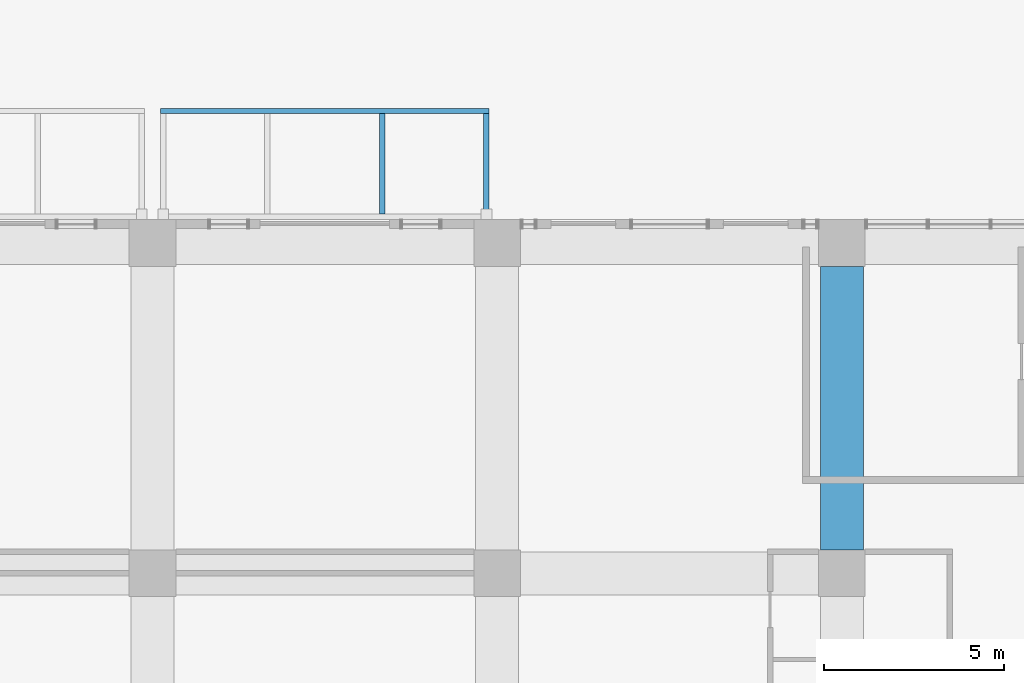
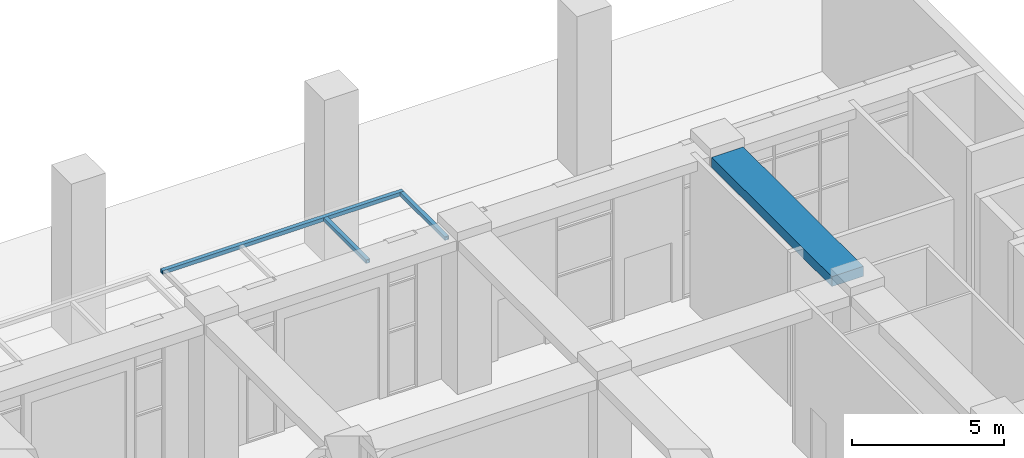
# One storey, part 8 of 45: 3 members, 1 beam.
"""IFC4 building model written with IfcOpenShell, lengths in metres."""

from ifc_helpers import new_model, si_unit, direction, frame, origin, origin_2d, place, context, subcontext, project, spatial, rectangle, hollow_rectangle, extrude, material, material_profile, profile_set, type_object, element, save


model = new_model("IFC4")

# Units and contexts
model_context = context("Model", 3, precision=1e-05, world=origin(), true_north=direction((0.0, 1.0)))
body_context = subcontext(model_context, "Body", "Model", "MODEL_VIEW")
ifc_project = project(units=[si_unit("LENGTHUNIT", "METRE"), si_unit("AREAUNIT", "SQUARE_METRE"), si_unit("VOLUMEUNIT", "CUBIC_METRE"), si_unit("PLANEANGLEUNIT", "RADIAN"), si_unit("MASSUNIT", "GRAM", prefix="KILO")], contexts=[model_context])

# Site, building, storey
site_placement = place(None, origin())
site = spatial("IfcSite", under=ifc_project, at=site_placement, CompositionType="ELEMENT")
building_placement = place(site_placement, origin())
building = spatial("IfcBuilding", under=site, at=building_placement, Name="Nzadi Deep Aquarium and Research Tower", CompositionType="ELEMENT")
storey_placement = place(building_placement, origin())
storey = spatial("IfcBuildingStorey", under=building, at=storey_placement, Name="G", CompositionType="ELEMENT", Elevation=0.0)

# Beam
ifc_material_1 = material(Name="Concrete C35/45", Category="concrete")
ifc_material_profile_1 = material_profile(ifc_material_1, rectangle(XDim=1.199951171875, YDim=0.39990234375, at=origin_2d()))
ifc_profile_set_1 = profile_set([ifc_material_profile_1], Name="Concrete C35/45")
beam_type = type_object("IfcBeamType", Name="RC 1200x400", PredefinedType="BEAM", material=ifc_profile_set_1)
beam_placement = place(storey_placement, frame((48.0, 123.050048828125, 5.949951171875), z_axis=(0.0, 1.0, 0.0), x_axis=(-1.0, 0.0, 0.0)))
element("IfcBeam", 1, at=beam_placement, inside=storey, type_object=beam_type, Name="B-Z3-G-CF-4-13", PredefinedType="BEAM", context=body_context, shape_type="SweptSolid", body=[
    extrude(rectangle(XDim=1.199951171875, YDim=0.39990234375, at=origin_2d()), origin(), (0.0, 0.0, 1.0), 7.89990234375),
])

# Members
ifc_material_2 = material(Name="Structural steel S355", Category="steel")
ifc_material_profile_2 = material_profile(ifc_material_2, hollow_rectangle(XDim=0.14990234375, YDim=0.14990234375, WallThickness=0.008056640625, at=origin_2d()))
ifc_profile_set_2 = profile_set([ifc_material_profile_2], Name="Structural steel S355")
member_type = type_object("IfcMemberType", Name="RHS 150x150x8", PredefinedType="RAFTER", material=ifc_profile_set_2)
member_1_placement = place(storey_placement, frame((35.199951171875, 132.39990234375, 5.375), z_axis=(0.0, 1.0, 0.0), x_axis=(-1.0, 0.0, 0.0)))
element("IfcMember", 2, at=member_1_placement, inside=storey, type_object=member_type, Name="Canopy rafter", PredefinedType="RAFTER", context=body_context, shape_type="SweptSolid", body=[
    extrude(hollow_rectangle(XDim=0.14990234375, YDim=0.14990234375, WallThickness=0.008056640625, at=origin_2d()), origin(), (0.0, 0.0, 1.0), 2.800048828125),
])
member_2_placement = place(storey_placement, frame((38.10009765625, 132.25, 5.375), z_axis=(0.0, 1.0, 0.0), x_axis=(-1.0, 0.0, 0.0)))
element("IfcMember", 3, at=member_2_placement, inside=storey, type_object=member_type, Name="Canopy rafter", PredefinedType="RAFTER", context=body_context, shape_type="SweptSolid", body=[
    extrude(hollow_rectangle(XDim=0.14990234375, YDim=0.14990234375, WallThickness=0.008056640625, at=origin_2d()), origin(), (0.0, 0.0, 1.0), 2.949951171875),
])
member_3_placement = place(storey_placement, frame((29.02490234375, 135.27490234375, 5.375), z_axis=(1.0, 0.0, 0.0), x_axis=(0.0, 1.0, 0.0)))
element("IfcMember", 4, at=member_3_placement, inside=storey, type_object=member_type, Name="Canopy tip beam", PredefinedType="RAFTER", context=body_context, shape_type="SweptSolid", body=[
    extrude(hollow_rectangle(XDim=0.14990234375, YDim=0.14990234375, WallThickness=0.008056640625, at=origin_2d()), origin(), (0.0, 0.0, 1.0), 9.150146484375),
])

save(model, "model.ifc")
